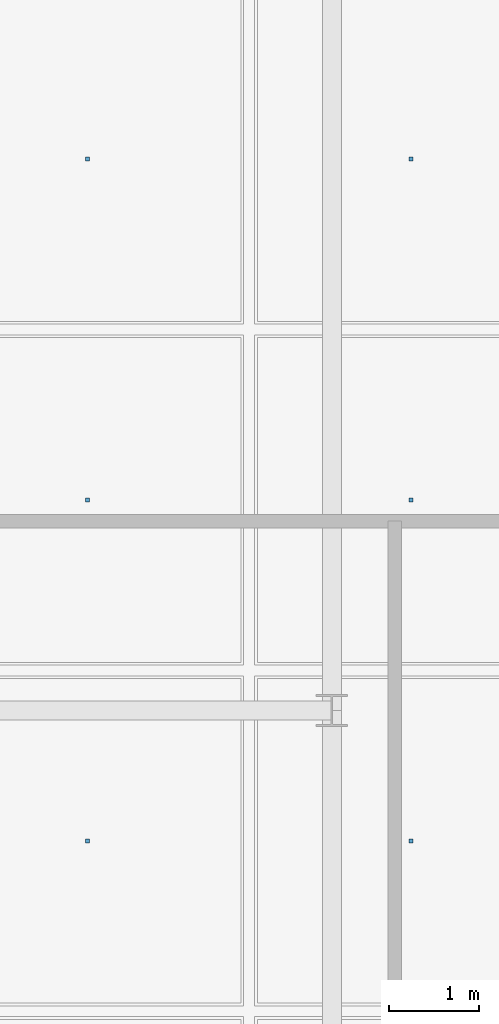
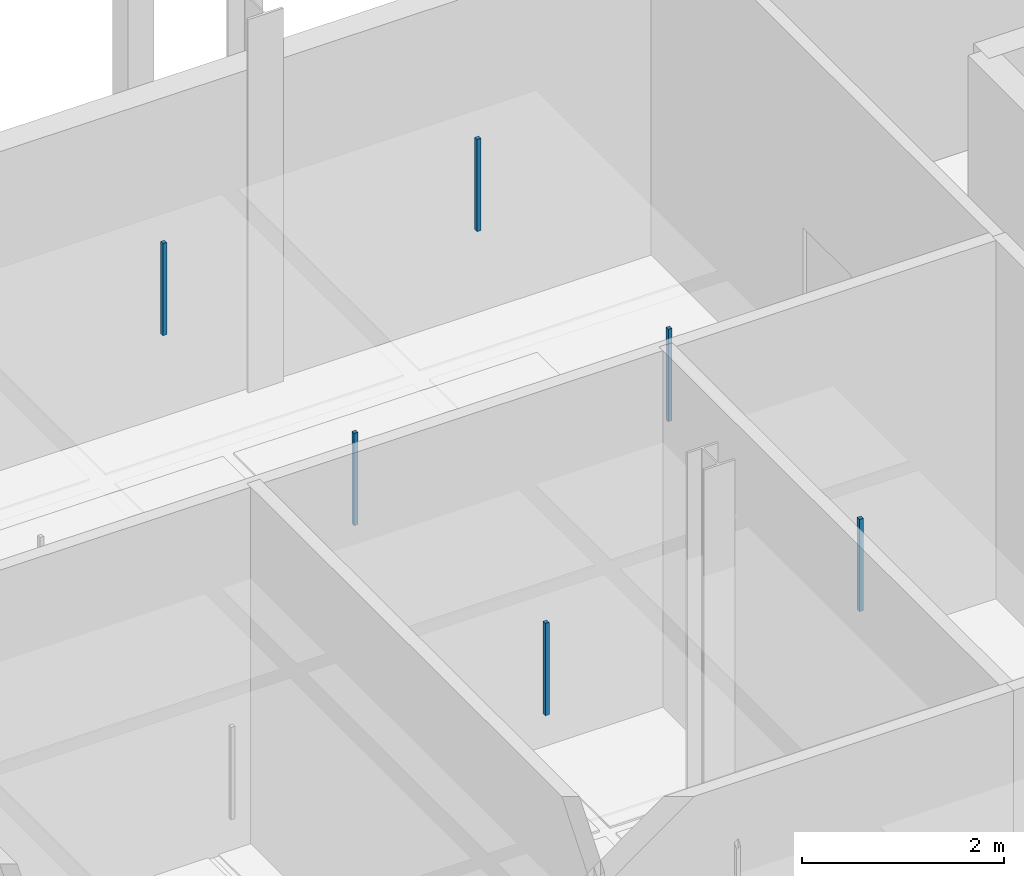
# One storey, part 88 of 130: 6 discrete accessories.
"""IFC4 building model written with IfcOpenShell, lengths in metres."""

import ifcopenshell
import ifcopenshell.guid

model = None  # the IFC model being written
_history = None  # IfcOwnerHistory: only IFC2X3 demands one
_inside = {}  # id of a spatial element -> (the spatial element, [elements in it])
_under = {}  # id of a project, library or spatial element -> (it, [spatial elements below it])
_declared = {}  # id of a project -> (the project, [libraries it declares])
_typed = {}  # id of a type object -> (the type object, [elements of that type])
_made_of = {}  # id of a material, layer set ... -> (it, [elements and type objects made of it])


def new_model(schema):
    """Start an empty IFC model of exactly this schema.

    Asked for "IFC4X3", IfcOpenShell would pick the latest addendum, in which some entities
    have other attributes; the version numbers below select the first issue.
    IFC2X3 requires an IfcOwnerHistory on every rooted entity: one is made here for all.
    """
    global model, _history
    if schema == "IFC4X3":
        model = ifcopenshell.file(schema_version=(4, 3, 0, 0))
    else:
        model = ifcopenshell.file(schema=schema)
    _inside.clear()
    _under.clear()
    _declared.clear()
    _typed.clear()
    _made_of.clear()
    _history = None
    if model.schema == "IFC2X3":
        org = make("IfcOrganization", Name="unknown")
        user = make(
            "IfcPersonAndOrganization",
            ThePerson=make("IfcPerson", FamilyName="unknown"),
            TheOrganization=org,
        )
        app = make(
            "IfcApplication",
            ApplicationDeveloper=org,
            Version="unknown",
            ApplicationFullName="unknown",
            ApplicationIdentifier="unknown",
        )
        _history = make(
            "IfcOwnerHistory",
            OwningUser=user,
            OwningApplication=app,
            ChangeAction="ADDED",
            CreationDate=0,
        )
    return model


def make(cls, **values):
    """One entity of the class cls with the attributes given. An attribute that is None is left unset."""
    return model.create_entity(
        cls, **{name: value for name, value in values.items() if value is not None}
    )


def rooted(cls, **values):
    """An entity with a GlobalId (a new one), such as an element, a storey or a relation."""
    return make(cls, GlobalId=ifcopenshell.guid.new(), OwnerHistory=_history, **values)


def si_unit(unit_type, name, prefix=None):
    """IfcSIUnit, for example si_unit("LENGTHUNIT", "METRE", prefix="MILLI")."""
    return make("IfcSIUnit", UnitType=unit_type, Prefix=prefix, Name=name)


def assignment(units):
    """IfcUnitAssignment: the units of a project."""
    return None if units is None else make("IfcUnitAssignment", Units=units)


def point(xyz):
    """IfcCartesianPoint."""
    return None if xyz is None else make("IfcCartesianPoint", Coordinates=xyz)


def direction(xyz):
    """IfcDirection."""
    return None if xyz is None else make("IfcDirection", DirectionRatios=xyz)


def frame(location, z_axis=None, x_axis=None):
    """IfcAxis2Placement3D, a coordinate frame: its origin and axes. An axis left out is left unset."""
    return make(
        "IfcAxis2Placement3D",
        Location=point(location),
        Axis=direction(z_axis),
        RefDirection=direction(x_axis),
    )


def frame_2d(location, x_axis=None):
    """IfcAxis2Placement2D, a coordinate frame in the plane: its origin and x axis."""
    return make(
        "IfcAxis2Placement2D", Location=point(location), RefDirection=direction(x_axis)
    )


def origin():
    """The frame at (0, 0, 0) with its axes left unset."""
    return frame((0.0, 0.0, 0.0))


def origin_2d():
    """The frame at (0, 0) in the plane with its x axis left unset."""
    return frame_2d((0.0, 0.0))


def place(relative_to, where):
    """IfcLocalPlacement: puts the frame where relative to a parent placement (None: the world)."""
    return make(
        "IfcLocalPlacement", PlacementRelTo=relative_to, RelativePlacement=where
    )


def context(
    kind, dimensions, precision=None, world=None, true_north=None, identifier=None
):
    """IfcGeometricRepresentationContext, for example the 3D "Model" context."""
    return make(
        "IfcGeometricRepresentationContext",
        ContextIdentifier=identifier,
        ContextType=kind,
        CoordinateSpaceDimension=dimensions,
        Precision=precision,
        WorldCoordinateSystem=world,
        TrueNorth=true_north,
    )


def subcontext(parent, identifier, kind, view, scale=None):
    """IfcGeometricRepresentationSubContext, for example "Body" below "Model"."""
    return make(
        "IfcGeometricRepresentationSubContext",
        ContextIdentifier=identifier,
        ContextType=kind,
        ParentContext=parent,
        TargetScale=scale,
        TargetView=view,
    )


def project(units=None, contexts=None):
    """IfcProject with its units and contexts."""
    return rooted(
        "IfcProject",
        Name="project",
        RepresentationContexts=contexts,
        UnitsInContext=assignment(units),
    )


def spatial(cls, under=None, at=None, **own):
    """A site, building, storey or space (cls), placed at a placement, below another one or the project."""
    s = rooted(cls, ObjectPlacement=at, **own)
    if under is not None:
        _under.setdefault(under.id(), (under, []))[1].append(s)
    return s


def profile(cls, at=None, kind="AREA", **sizes):
    """A parametric profile (cls). Its sizes go by their IFC names, for example OverallWidth=200.0."""
    return make(cls, ProfileType=kind, Position=at, **sizes)


def rectangle(**sizes):
    """IfcRectangleProfileDef."""
    return profile("IfcRectangleProfileDef", **sizes)


def extrude(swept, where, along, depth):
    """IfcExtrudedAreaSolid: the profile swept, set in the frame where, extruded along a direction by depth."""
    return make(
        "IfcExtrudedAreaSolid",
        SweptArea=swept,
        Position=where,
        ExtrudedDirection=direction(along),
        Depth=depth,
    )


def shape(context_of_items, identifier, shape_type, items):
    """IfcShapeRepresentation: the items that make up one representation, for example the "Body"."""
    return make(
        "IfcShapeRepresentation",
        ContextOfItems=context_of_items,
        RepresentationIdentifier=identifier,
        RepresentationType=shape_type,
        Items=items,
    )


def material(Name=None, Category=None):
    """IfcMaterial."""
    return make("IfcMaterial", Name=Name, Category=Category)


def made_of(thing, what):
    """Note that an element or type object is made of a material, layer set ...; save() writes the relation."""
    if what is not None:
        _made_of.setdefault(what.id(), (what, []))[1].append(thing)
    return thing


def type_object(cls, material=None, **own):
    """A type object (cls), such as IfcWallType, which elements share."""
    return made_of(rooted(cls, **own), material)


def element(
    cls,
    number,
    at=None,
    inside=None,
    cuts=None,
    type_object=None,
    material=None,
    context=None,
    identifier="Body",
    shape_type=None,
    held_by="IfcProductDefinitionShape",
    body=None,
    shapes=None,
    **own,
):
    """One element of the class cls, such as IfcWall. Its Tag is "e" and its number.

    at: its placement. inside: the storey or other place that contains it. cuts: it is an
    opening in that element (IfcRelVoidsElement). A single representation is given by context,
    identifier, shape_type and body (its items); several are given by shapes. held_by: the class
    of the entity that holds the representations. save() writes the other relations.
    """
    e = rooted(cls, Tag="e%d" % number, ObjectPlacement=at, **own)
    if body is not None:
        shapes = [shape(context, identifier, shape_type, body)]
    if shapes is not None:
        e.Representation = make(held_by, Representations=shapes)
    if inside is not None:
        _inside.setdefault(inside.id(), (inside, []))[1].append(e)
    if cuts is not None:
        rooted(
            "IfcRelVoidsElement", RelatingBuildingElement=cuts, RelatedOpeningElement=e
        )
    if type_object is not None:
        _typed.setdefault(type_object.id(), (type_object, []))[1].append(e)
    return made_of(e, material)


def aggregate(whole, parts):
    """IfcRelAggregates: a whole, such as a stair, and the parts it consists of."""
    return rooted("IfcRelAggregates", RelatingObject=whole, RelatedObjects=parts)


def save(model, path):
    """Write the relations noted so far, then the file.

    IfcRelAggregates (storeys below a building ...), IfcRelContainedInSpatialStructure (elements
    in a storey), IfcRelDefinesByType, IfcRelAssociatesMaterial and IfcRelDeclares: one each for
    every whole, place, type object, material and project.
    """
    for whole, parts in _under.values():
        aggregate(whole, parts)
    for where, things in _inside.values():
        rooted(
            "IfcRelContainedInSpatialStructure",
            RelatedElements=things,
            RelatingStructure=where,
        )
    for kind, things in _typed.values():
        rooted("IfcRelDefinesByType", RelatedObjects=things, RelatingType=kind)
    for what, things in _made_of.values():
        rooted("IfcRelAssociatesMaterial", RelatedObjects=things, RelatingMaterial=what)
    for by, libraries in _declared.values():
        rooted("IfcRelDeclares", RelatingContext=by, RelatedDefinitions=libraries)
    model.write(path)


model = new_model("IFC4")

# Units and contexts
model_context = context("Model", 3, precision=1e-05, world=origin(), true_north=direction((0.0, 1.0)))
body_context = subcontext(model_context, "Body", "Model", "MODEL_VIEW")
ifc_project = project(units=[si_unit("LENGTHUNIT", "METRE"), si_unit("AREAUNIT", "SQUARE_METRE"), si_unit("VOLUMEUNIT", "CUBIC_METRE"), si_unit("PLANEANGLEUNIT", "RADIAN"), si_unit("MASSUNIT", "GRAM", prefix="KILO"), si_unit("THERMODYNAMICTEMPERATUREUNIT", "KELVIN"), si_unit("POWERUNIT", "WATT")], contexts=[model_context])

# Site, building, storey
site_placement = place(None, origin())
site = spatial("IfcSite", under=ifc_project, at=site_placement, CompositionType="ELEMENT")
building_placement = place(site_placement, origin())
building = spatial("IfcBuilding", under=site, at=building_placement, Name="Tallowbark Science Centre", CompositionType="ELEMENT")
storey_placement = place(building_placement, frame((0.0, 0.0, 5.39990234375)))
storey = spatial("IfcBuildingStorey", under=building, at=storey_placement, Name="L01", CompositionType="ELEMENT", Elevation=5.39990234375)

# Discrete accessories
ifc_material = material(Name="Galvanised Steel Grade C350L0 (350 MPa)", Category="steel")
discrete_accessory_type = type_object("IfcDiscreteAccessoryType", Name="ACC-CLG-HNG", PredefinedType="BRACKET", material=ifc_material)
for number, where, z_axis, x_axis, name in (
    (1, (82.791748046875, 30.0556640625, 3.20947265625), (0.0, 0.0, 1.0), (1.0, 0.0, 0.0), "Ceiling Hanger Bracket L01-531"),
    (2, (82.791748046875, 33.833251953125, 3.20947265625), (0.0, 0.0, 1.0), (1.0, 0.0, 0.0), "Ceiling Hanger Bracket L01-532"),
    (3, (82.791748046875, 37.611083984375, 3.20947265625), (0.0, 0.0, 1.0), (1.0, 0.0, 0.0), "Ceiling Hanger Bracket L01-533"),
    (4, (86.375, 30.0556640625, 3.20947265625), (0.0, 0.0, 1.0), (1.0, 0.0, 0.0), "Ceiling Hanger Bracket L01-540"),
    (5, (86.375, 33.833251953125, 3.20947265625), (0.0, 0.0, 1.0), (1.0, 0.0, 0.0), "Ceiling Hanger Bracket L01-541"),
    (6, (86.375, 37.611083984375, 3.20947265625), (0.0, 0.0, 1.0), (1.0, 0.0, 0.0), "Ceiling Hanger Bracket L01-542"),
):
    element("IfcDiscreteAccessory", number, at=place(storey_placement, frame(where, z_axis=z_axis, x_axis=x_axis)), inside=storey, type_object=discrete_accessory_type, Name=name, PredefinedType="BRACKET", context=body_context, shape_type="SweptSolid", body=[
        extrude(rectangle(XDim=0.044921875, YDim=0.044921875, at=origin_2d()), origin(), (0.0, 0.0, 1.0), 1.113525390625),
    ])

save(model, "model.ifc")
